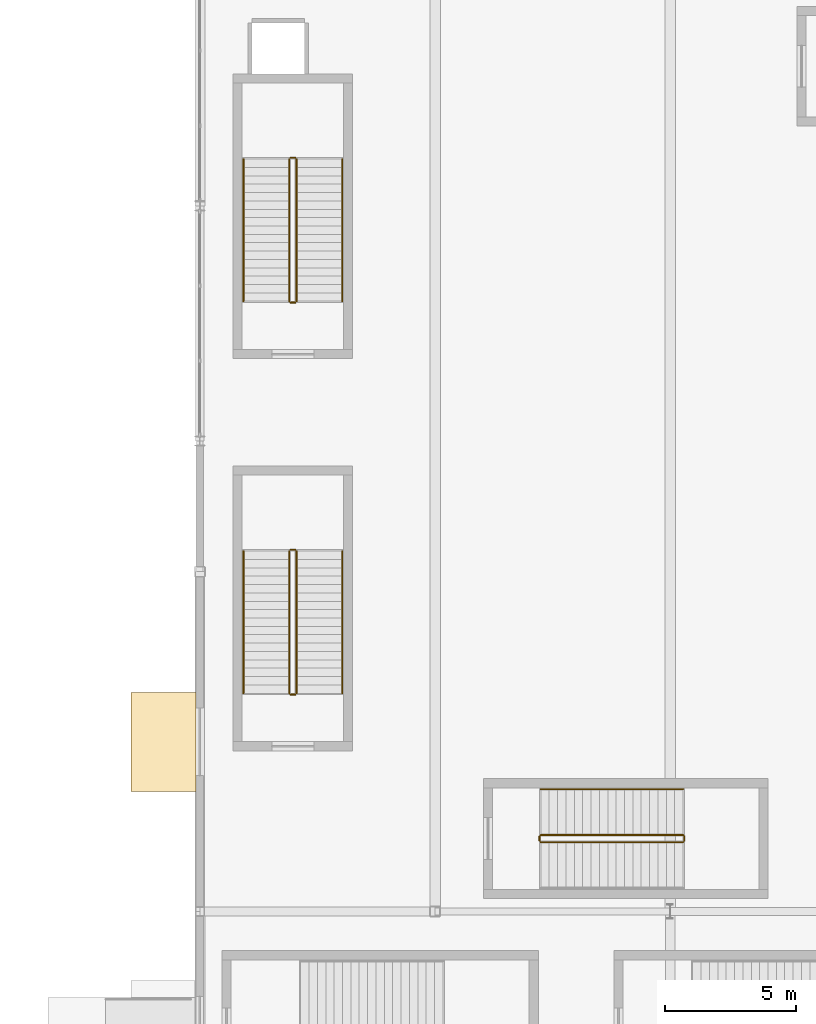
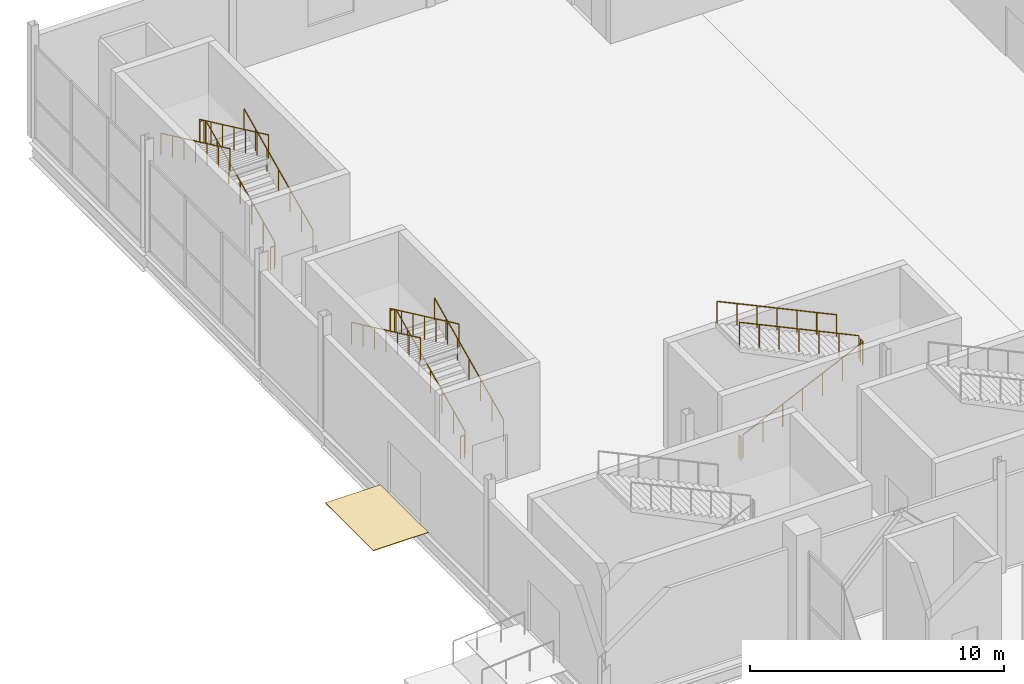
# One storey, part 92 of 94: 17 railings, 1 covering.
"""IFC4 building model written with IfcOpenShell, lengths in metres."""

from ifc_helpers import new_model, si_unit, direction, frame, origin, origin_2d, place, context, subcontext, project, spatial, rectangle, circle, extrude, material, layer, layer_set, type_object, element, save


model = new_model("IFC4")

# Units and contexts
model_context = context("Model", 3, precision=1e-05, world=origin(), true_north=direction((0.0, 1.0)))
body_context = subcontext(model_context, "Body", "Model", "MODEL_VIEW")
ifc_project = project(units=[si_unit("LENGTHUNIT", "METRE"), si_unit("AREAUNIT", "SQUARE_METRE"), si_unit("VOLUMEUNIT", "CUBIC_METRE"), si_unit("PLANEANGLEUNIT", "RADIAN"), si_unit("MASSUNIT", "GRAM", prefix="KILO")], contexts=[model_context])

# Site, building, storey
site_placement = place(None, origin())
site = spatial("IfcSite", under=ifc_project, at=site_placement, CompositionType="ELEMENT")
building_placement = place(site_placement, origin())
building = spatial("IfcBuilding", under=site, at=building_placement, Name="Qamarlyn Nura Convention Centre", CompositionType="ELEMENT")
storey_placement = place(building_placement, origin())
storey = spatial("IfcBuildingStorey", under=building, at=storey_placement, Name="L00", CompositionType="ELEMENT", Elevation=0.0)

# Covering
ifc_material_1 = material(Name="Polished coastal aggregate terrazzo")
ifc_layer = layer(ifc_material_1, 0.030029296875, Name="COV-FLOOR-TERR")
ifc_layer_set = layer_set([ifc_layer], Name="Polished coastal aggregate terrazzo")
covering_type = type_object("IfcCoveringType", Name="COV-FLOOR-TERR", PredefinedType="FLOORING", material=ifc_layer_set)
covering_placement = place(storey_placement, frame((142.610107421875, 96.487548828125, -0.02978515625), z_axis=(0.0, 0.0, 1.0), x_axis=(0.0, 1.0, 0.0)))
element("IfcCovering", 1, at=covering_placement, inside=storey, type_object=covering_type, Name="Exterior exit threshold apron E-52", PredefinedType="FLOORING", context=body_context, shape_type="SweptSolid", body=[
    extrude(rectangle(XDim=3.780029296875, YDim=2.5, at=origin_2d()), origin(), (0.0, 0.0, 1.0), 0.030029296875),
])

# Railings
ifc_material_2 = material(Name="Marine Grade 316 stainless steel", Category="steel")
railing_type_1 = type_object("IfcRailingType", Name="GRD-STAIR-112", PredefinedType="BALUSTRADE", material=ifc_material_2)
railing_1_placement = place(storey_placement, frame((147.699951171875, 98.35009765625, 0.14990234375)))
element("IfcRailing", 2, at=railing_1_placement, inside=storey, type_object=railing_type_1, Name="L00 ST-VOM1 stair guard 1", PredefinedType="BALUSTRADE", context=body_context, shape_type="SweptSolid", body=[
    extrude(circle(Radius=0.02392578125, at=origin_2d()), frame((0.0, 0.0, 1.09619140625), z_axis=(0.0, 0.90545405566, 0.424444287379), x_axis=(-1.0, 0.0, 0.0)), (0.0, 0.0, 1.0), 6.008056640625),
    extrude(circle(Radius=0.02099609375, at=origin_2d()), origin(), (0.0, 0.0, 1.0), 1.070068359375),
    extrude(circle(Radius=0.02099609375, at=origin_2d()), frame((0.0, 0.90673828125, 0.425048828125)), (0.0, 0.0, 1.0), 1.070068359375),
    extrude(circle(Radius=0.02099609375, at=origin_2d()), frame((0.0, 1.813232421875, 0.85009765625)), (0.0, 0.0, 1.0), 1.070068359375),
    extrude(circle(Radius=0.02099609375, at=origin_2d()), frame((0.0, 2.719970703125, 1.27490234375)), (0.0, 0.0, 1.0), 1.070068359375),
    extrude(circle(Radius=0.02099609375, at=origin_2d()), frame((0.0, 3.626708984375, 1.699951171875)), (0.0, 0.0, 1.0), 1.070068359375),
    extrude(circle(Radius=0.02099609375, at=origin_2d()), frame((0.0, 4.533203125, 2.125)), (0.0, 0.0, 1.0), 1.070068359375),
    extrude(circle(Radius=0.02099609375, at=origin_2d()), frame((0.0, 5.43994140625, 2.550048828125)), (0.0, 0.0, 1.0), 1.070068359375),
])
railing_2_placement = place(storey_placement, frame((147.64990234375, 103.840087890625, 2.699951171875)))
element("IfcRailing", 3, at=railing_2_placement, inside=storey, type_object=railing_type_1, Name="L00 ST-VOM1 stair guard 2", PredefinedType="BALUSTRADE", context=body_context, shape_type="SweptSolid", body=[
    extrude(circle(Radius=0.02392578125, at=origin_2d()), frame((0.0, 0.0, 1.09619140625), z_axis=(-1.0, 0.0, 0.0), x_axis=(0.0, -1.0, 0.0)), (0.0, 0.0, 1.0), 0.179931640625),
    extrude(circle(Radius=0.02099609375, at=origin_2d()), origin(), (0.0, 0.0, 1.0), 1.070068359375),
    extrude(circle(Radius=0.02099609375, at=origin_2d()), frame((-0.179931640625, 0.0, 0.0)), (0.0, 0.0, 1.0), 1.070068359375),
])
railing_3_placement = place(storey_placement, frame((147.419921875, 103.7900390625, 2.85009765625)))
element("IfcRailing", 4, at=railing_3_placement, inside=storey, type_object=railing_type_1, Name="L00 ST-VOM1 stair guard 3", PredefinedType="BALUSTRADE", context=body_context, shape_type="SweptSolid", body=[
    extrude(circle(Radius=0.02392578125, at=origin_2d()), frame((0.0, 0.0, 1.09619140625), z_axis=(0.0, -0.90546967238, 0.424410971113), x_axis=(1.0, 0.0, 0.0)), (0.0, 0.0, 1.0), 6.0078125),
    extrude(circle(Radius=0.02099609375, at=origin_2d()), origin(), (0.0, 0.0, 1.0), 1.070068359375),
    extrude(circle(Radius=0.02099609375, at=origin_2d()), frame((0.0, -0.90673828125, 0.425048828125)), (0.0, 0.0, 1.0), 1.070068359375),
    extrude(circle(Radius=0.02099609375, at=origin_2d()), frame((0.0, -1.813232421875, 0.849853515625)), (0.0, 0.0, 1.0), 1.070068359375),
    extrude(circle(Radius=0.02099609375, at=origin_2d()), frame((0.0, -2.719970703125, 1.27490234375)), (0.0, 0.0, 1.0), 1.070068359375),
    extrude(circle(Radius=0.02099609375, at=origin_2d()), frame((0.0, -3.626708984375, 1.699951171875)), (0.0, 0.0, 1.0), 1.070068359375),
    extrude(circle(Radius=0.02099609375, at=origin_2d()), frame((0.0, -4.533203125, 2.124755859375)), (0.0, 0.0, 1.0), 1.070068359375),
    extrude(circle(Radius=0.02099609375, at=origin_2d()), frame((0.0, -5.43994140625, 2.5498046875)), (0.0, 0.0, 1.0), 1.070068359375),
])
railing_4_placement = place(storey_placement, frame((147.64990234375, 98.300048828125, 0.0)))
element("IfcRailing", 5, at=railing_4_placement, inside=storey, type_object=railing_type_1, Name="L00 ST-VOM1 stair guard 4", PredefinedType="BALUSTRADE", context=body_context, shape_type="SweptSolid", body=[
    extrude(circle(Radius=0.02392578125, at=origin_2d()), frame((0.0, 0.0, 1.09619140625), z_axis=(-1.0, 0.0, 0.0), x_axis=(0.0, -1.0, 0.0)), (0.0, 0.0, 1.0), 0.179931640625),
    extrude(circle(Radius=0.02099609375, at=origin_2d()), origin(), (0.0, 0.0, 1.0), 1.070068359375),
    extrude(circle(Radius=0.02099609375, at=origin_2d()), frame((-0.179931640625, 0.0, 0.0)), (0.0, 0.0, 1.0), 1.070068359375),
])
railing_5_placement = place(storey_placement, frame((147.699951171875, 113.35009765625, 0.14990234375)))
element("IfcRailing", 6, at=railing_5_placement, inside=storey, type_object=railing_type_1, Name="L00 ST-VOM2 stair guard 1", PredefinedType="BALUSTRADE", context=body_context, shape_type="SweptSolid", body=[
    extrude(circle(Radius=0.02392578125, at=origin_2d()), frame((0.0, 0.0, 1.09619140625), z_axis=(0.0, 0.90545405566, 0.424444287379), x_axis=(-1.0, 0.0, 0.0)), (0.0, 0.0, 1.0), 6.008056640625),
    extrude(circle(Radius=0.02099609375, at=origin_2d()), origin(), (0.0, 0.0, 1.0), 1.070068359375),
    extrude(circle(Radius=0.02099609375, at=origin_2d()), frame((0.0, 0.90673828125, 0.425048828125)), (0.0, 0.0, 1.0), 1.070068359375),
    extrude(circle(Radius=0.02099609375, at=origin_2d()), frame((0.0, 1.813232421875, 0.85009765625)), (0.0, 0.0, 1.0), 1.070068359375),
    extrude(circle(Radius=0.02099609375, at=origin_2d()), frame((0.0, 2.719970703125, 1.27490234375)), (0.0, 0.0, 1.0), 1.070068359375),
    extrude(circle(Radius=0.02099609375, at=origin_2d()), frame((0.0, 3.626708984375, 1.699951171875)), (0.0, 0.0, 1.0), 1.070068359375),
    extrude(circle(Radius=0.02099609375, at=origin_2d()), frame((0.0, 4.533203125, 2.125)), (0.0, 0.0, 1.0), 1.070068359375),
    extrude(circle(Radius=0.02099609375, at=origin_2d()), frame((0.0, 5.43994140625, 2.550048828125)), (0.0, 0.0, 1.0), 1.070068359375),
])
railing_6_placement = place(storey_placement, frame((147.64990234375, 118.840087890625, 2.699951171875)))
element("IfcRailing", 7, at=railing_6_placement, inside=storey, type_object=railing_type_1, Name="L00 ST-VOM2 stair guard 2", PredefinedType="BALUSTRADE", context=body_context, shape_type="SweptSolid", body=[
    extrude(circle(Radius=0.02392578125, at=origin_2d()), frame((0.0, 0.0, 1.09619140625), z_axis=(-1.0, 0.0, 0.0), x_axis=(0.0, -1.0, 0.0)), (0.0, 0.0, 1.0), 0.179931640625),
    extrude(circle(Radius=0.02099609375, at=origin_2d()), origin(), (0.0, 0.0, 1.0), 1.070068359375),
    extrude(circle(Radius=0.02099609375, at=origin_2d()), frame((-0.179931640625, 0.0, 0.0)), (0.0, 0.0, 1.0), 1.070068359375),
])
railing_7_placement = place(storey_placement, frame((147.419921875, 118.7900390625, 2.85009765625)))
element("IfcRailing", 8, at=railing_7_placement, inside=storey, type_object=railing_type_1, Name="L00 ST-VOM2 stair guard 3", PredefinedType="BALUSTRADE", context=body_context, shape_type="SweptSolid", body=[
    extrude(circle(Radius=0.02392578125, at=origin_2d()), frame((0.0, 0.0, 1.09619140625), z_axis=(0.0, -0.90546967238, 0.424410971113), x_axis=(1.0, 0.0, 0.0)), (0.0, 0.0, 1.0), 6.0078125),
    extrude(circle(Radius=0.02099609375, at=origin_2d()), origin(), (0.0, 0.0, 1.0), 1.070068359375),
    extrude(circle(Radius=0.02099609375, at=origin_2d()), frame((0.0, -0.90673828125, 0.425048828125)), (0.0, 0.0, 1.0), 1.070068359375),
    extrude(circle(Radius=0.02099609375, at=origin_2d()), frame((0.0, -1.813232421875, 0.849853515625)), (0.0, 0.0, 1.0), 1.070068359375),
    extrude(circle(Radius=0.02099609375, at=origin_2d()), frame((0.0, -2.719970703125, 1.27490234375)), (0.0, 0.0, 1.0), 1.070068359375),
    extrude(circle(Radius=0.02099609375, at=origin_2d()), frame((0.0, -3.626708984375, 1.699951171875)), (0.0, 0.0, 1.0), 1.070068359375),
    extrude(circle(Radius=0.02099609375, at=origin_2d()), frame((0.0, -4.533203125, 2.124755859375)), (0.0, 0.0, 1.0), 1.070068359375),
    extrude(circle(Radius=0.02099609375, at=origin_2d()), frame((0.0, -5.43994140625, 2.5498046875)), (0.0, 0.0, 1.0), 1.070068359375),
])
railing_8_placement = place(storey_placement, frame((147.64990234375, 113.300048828125, 0.0)))
element("IfcRailing", 9, at=railing_8_placement, inside=storey, type_object=railing_type_1, Name="L00 ST-VOM2 stair guard 4", PredefinedType="BALUSTRADE", context=body_context, shape_type="SweptSolid", body=[
    extrude(circle(Radius=0.02392578125, at=origin_2d()), frame((0.0, 0.0, 1.09619140625), z_axis=(-1.0, 0.0, 0.0), x_axis=(0.0, -1.0, 0.0)), (0.0, 0.0, 1.0), 0.179931640625),
    extrude(circle(Radius=0.02099609375, at=origin_2d()), origin(), (0.0, 0.0, 1.0), 1.070068359375),
    extrude(circle(Radius=0.02099609375, at=origin_2d()), frame((-0.179931640625, 0.0, 0.0)), (0.0, 0.0, 1.0), 1.070068359375),
])
railing_9_placement = place(storey_placement, frame((157.050048828125, 92.64990234375, 0.14990234375)))
element("IfcRailing", 10, at=railing_9_placement, inside=storey, type_object=railing_type_1, Name="L00 ST-VOM3 stair guard 1", PredefinedType="BALUSTRADE", context=body_context, shape_type="SweptSolid", body=[
    extrude(circle(Radius=0.02392578125, at=origin_2d()), frame((0.0, 0.0, 1.09619140625), z_axis=(0.90545405566, 0.0, 0.424444287379), x_axis=(0.0, 1.0, 0.0)), (0.0, 0.0, 1.0), 6.008056640625),
    extrude(circle(Radius=0.02099609375, at=origin_2d()), origin(), (0.0, 0.0, 1.0), 1.070068359375),
    extrude(circle(Radius=0.02099609375, at=origin_2d()), frame((0.90673828125, 0.0, 0.425048828125)), (0.0, 0.0, 1.0), 1.070068359375),
    extrude(circle(Radius=0.02099609375, at=origin_2d()), frame((1.813232421875, 0.0, 0.85009765625)), (0.0, 0.0, 1.0), 1.070068359375),
    extrude(circle(Radius=0.02099609375, at=origin_2d()), frame((2.719970703125, 0.0, 1.27490234375)), (0.0, 0.0, 1.0), 1.070068359375),
    extrude(circle(Radius=0.02099609375, at=origin_2d()), frame((3.626708984375, 0.0, 1.699951171875)), (0.0, 0.0, 1.0), 1.070068359375),
    extrude(circle(Radius=0.02099609375, at=origin_2d()), frame((4.533203125, 0.0, 2.125)), (0.0, 0.0, 1.0), 1.070068359375),
    extrude(circle(Radius=0.02099609375, at=origin_2d()), frame((5.43994140625, 0.0, 2.550048828125)), (0.0, 0.0, 1.0), 1.070068359375),
])
railing_10_placement = place(storey_placement, frame((162.5400390625, 92.699951171875, 2.699951171875)))
element("IfcRailing", 11, at=railing_10_placement, inside=storey, type_object=railing_type_1, Name="L00 ST-VOM3 stair guard 2", PredefinedType="BALUSTRADE", context=body_context, shape_type="SweptSolid", body=[
    extrude(circle(Radius=0.02392578125, at=origin_2d()), frame((0.0, 0.0, 1.09619140625), z_axis=(0.0, 1.0, 0.0), x_axis=(-1.0, 0.0, 0.0)), (0.0, 0.0, 1.0), 0.179931640625),
    extrude(circle(Radius=0.02099609375, at=origin_2d()), origin(), (0.0, 0.0, 1.0), 1.070068359375),
    extrude(circle(Radius=0.02099609375, at=origin_2d()), frame((0.0, 0.179931640625, 0.0)), (0.0, 0.0, 1.0), 1.070068359375),
])
railing_11_placement = place(storey_placement, frame((162.489990234375, 92.929931640625, 2.85009765625)))
element("IfcRailing", 12, at=railing_11_placement, inside=storey, type_object=railing_type_1, Name="L00 ST-VOM3 stair guard 3", PredefinedType="BALUSTRADE", context=body_context, shape_type="SweptSolid", body=[
    extrude(circle(Radius=0.02392578125, at=origin_2d()), frame((0.0, 0.0, 1.09619140625), z_axis=(-0.90546967238, 0.0, 0.424410971113), x_axis=(0.0, -1.0, 0.0)), (0.0, 0.0, 1.0), 6.0078125),
    extrude(circle(Radius=0.02099609375, at=origin_2d()), origin(), (0.0, 0.0, 1.0), 1.070068359375),
    extrude(circle(Radius=0.02099609375, at=origin_2d()), frame((-0.90673828125, 0.0, 0.425048828125)), (0.0, 0.0, 1.0), 1.070068359375),
    extrude(circle(Radius=0.02099609375, at=origin_2d()), frame((-1.813232421875, 0.0, 0.849853515625)), (0.0, 0.0, 1.0), 1.070068359375),
    extrude(circle(Radius=0.02099609375, at=origin_2d()), frame((-2.719970703125, 0.0, 1.27490234375)), (0.0, 0.0, 1.0), 1.070068359375),
    extrude(circle(Radius=0.02099609375, at=origin_2d()), frame((-3.626708984375, 0.0, 1.699951171875)), (0.0, 0.0, 1.0), 1.070068359375),
    extrude(circle(Radius=0.02099609375, at=origin_2d()), frame((-4.533203125, 0.0, 2.124755859375)), (0.0, 0.0, 1.0), 1.070068359375),
    extrude(circle(Radius=0.02099609375, at=origin_2d()), frame((-5.43994140625, 0.0, 2.5498046875)), (0.0, 0.0, 1.0), 1.070068359375),
])
railing_12_placement = place(storey_placement, frame((157.0, 92.699951171875, 0.0)))
element("IfcRailing", 13, at=railing_12_placement, inside=storey, type_object=railing_type_1, Name="L00 ST-VOM3 stair guard 4", PredefinedType="BALUSTRADE", context=body_context, shape_type="SweptSolid", body=[
    extrude(circle(Radius=0.02392578125, at=origin_2d()), frame((0.0, 0.0, 1.09619140625), z_axis=(0.0, 1.0, 0.0), x_axis=(-1.0, 0.0, 0.0)), (0.0, 0.0, 1.0), 0.179931640625),
    extrude(circle(Radius=0.02099609375, at=origin_2d()), origin(), (0.0, 0.0, 1.0), 1.070068359375),
    extrude(circle(Radius=0.02099609375, at=origin_2d()), frame((0.0, 0.179931640625, 0.0)), (0.0, 0.0, 1.0), 1.070068359375),
])
railing_type_2 = type_object("IfcRailingType", Name="HRL-STAIR-090", PredefinedType="HANDRAIL", material=ifc_material_2)
railing_13_placement = place(storey_placement, frame((149.449951171875, 98.35009765625, 0.30224609375)))
element("IfcRailing", 14, at=railing_13_placement, inside=storey, type_object=railing_type_2, Name="L00 ST-VOM1 stair handrail 1", PredefinedType="HANDRAIL", context=body_context, shape_type="SweptSolid", body=[
    extrude(circle(Radius=0.02392578125, at=origin_2d()), frame((0.0, 0.0, 0.88818359375), z_axis=(0.0, 0.90545405566, 0.424444287379), x_axis=(-1.0, 0.0, 0.0)), (0.0, 0.0, 1.0), 6.008056640625),
    extrude(circle(Radius=0.02099609375, at=origin_2d()), frame((0.0, 0.0, -0.155029296875)), (0.0, 0.0, 1.0), 1.01708984375),
    extrude(circle(Radius=0.02099609375, at=origin_2d()), frame((0.0, 0.90673828125, 0.27001953125)), (0.0, 0.0, 1.0), 1.01708984375),
    extrude(circle(Radius=0.02099609375, at=origin_2d()), frame((0.0, 1.813232421875, 0.695068359375)), (0.0, 0.0, 1.0), 1.01708984375),
    extrude(circle(Radius=0.02099609375, at=origin_2d()), frame((0.0, 2.719970703125, 1.1201171875)), (0.0, 0.0, 1.0), 1.01708984375),
    extrude(circle(Radius=0.02099609375, at=origin_2d()), frame((0.0, 3.626708984375, 1.544921875)), (0.0, 0.0, 1.0), 1.01708984375),
    extrude(circle(Radius=0.02099609375, at=origin_2d()), frame((0.0, 4.533203125, 1.969970703125)), (0.0, 0.0, 1.0), 1.01708984375),
    extrude(circle(Radius=0.02099609375, at=origin_2d()), frame((0.0, 5.43994140625, 2.39501953125)), (0.0, 0.0, 1.0), 1.01708984375),
])
railing_14_placement = place(storey_placement, frame((145.669921875, 103.7900390625, 3.002197265625)))
element("IfcRailing", 15, at=railing_14_placement, inside=storey, type_object=railing_type_2, Name="L00 ST-VOM1 stair handrail 2", PredefinedType="HANDRAIL", context=body_context, shape_type="SweptSolid", body=[
    extrude(circle(Radius=0.02392578125, at=origin_2d()), frame((0.0, 0.0, 0.88818359375), z_axis=(0.0, -0.90545405566, 0.424444287379), x_axis=(1.0, 0.0, 0.0)), (0.0, 0.0, 1.0), 6.008056640625),
    extrude(circle(Radius=0.02099609375, at=origin_2d()), frame((0.0, 0.0, -0.155029296875)), (0.0, 0.0, 1.0), 1.01708984375),
    extrude(circle(Radius=0.02099609375, at=origin_2d()), frame((0.0, -0.90673828125, 0.27001953125)), (0.0, 0.0, 1.0), 1.01708984375),
    extrude(circle(Radius=0.02099609375, at=origin_2d()), frame((0.0, -1.813232421875, 0.695068359375)), (0.0, 0.0, 1.0), 1.01708984375),
    extrude(circle(Radius=0.02099609375, at=origin_2d()), frame((0.0, -2.719970703125, 1.1201171875)), (0.0, 0.0, 1.0), 1.01708984375),
    extrude(circle(Radius=0.02099609375, at=origin_2d()), frame((0.0, -3.626708984375, 1.544921875)), (0.0, 0.0, 1.0), 1.01708984375),
    extrude(circle(Radius=0.02099609375, at=origin_2d()), frame((0.0, -4.533203125, 1.969970703125)), (0.0, 0.0, 1.0), 1.01708984375),
    extrude(circle(Radius=0.02099609375, at=origin_2d()), frame((0.0, -5.43994140625, 2.39501953125)), (0.0, 0.0, 1.0), 1.01708984375),
])
railing_15_placement = place(storey_placement, frame((149.449951171875, 113.35009765625, 0.30224609375)))
element("IfcRailing", 16, at=railing_15_placement, inside=storey, type_object=railing_type_2, Name="L00 ST-VOM2 stair handrail 1", PredefinedType="HANDRAIL", context=body_context, shape_type="SweptSolid", body=[
    extrude(circle(Radius=0.02392578125, at=origin_2d()), frame((0.0, 0.0, 0.88818359375), z_axis=(0.0, 0.90545405566, 0.424444287379), x_axis=(-1.0, 0.0, 0.0)), (0.0, 0.0, 1.0), 6.008056640625),
    extrude(circle(Radius=0.02099609375, at=origin_2d()), frame((0.0, 0.0, -0.155029296875)), (0.0, 0.0, 1.0), 1.01708984375),
    extrude(circle(Radius=0.02099609375, at=origin_2d()), frame((0.0, 0.90673828125, 0.27001953125)), (0.0, 0.0, 1.0), 1.01708984375),
    extrude(circle(Radius=0.02099609375, at=origin_2d()), frame((0.0, 1.813232421875, 0.695068359375)), (0.0, 0.0, 1.0), 1.01708984375),
    extrude(circle(Radius=0.02099609375, at=origin_2d()), frame((0.0, 2.719970703125, 1.1201171875)), (0.0, 0.0, 1.0), 1.01708984375),
    extrude(circle(Radius=0.02099609375, at=origin_2d()), frame((0.0, 3.626708984375, 1.544921875)), (0.0, 0.0, 1.0), 1.01708984375),
    extrude(circle(Radius=0.02099609375, at=origin_2d()), frame((0.0, 4.533203125, 1.969970703125)), (0.0, 0.0, 1.0), 1.01708984375),
    extrude(circle(Radius=0.02099609375, at=origin_2d()), frame((0.0, 5.43994140625, 2.39501953125)), (0.0, 0.0, 1.0), 1.01708984375),
])
railing_16_placement = place(storey_placement, frame((145.669921875, 118.7900390625, 3.002197265625)))
element("IfcRailing", 17, at=railing_16_placement, inside=storey, type_object=railing_type_2, Name="L00 ST-VOM2 stair handrail 2", PredefinedType="HANDRAIL", context=body_context, shape_type="SweptSolid", body=[
    extrude(circle(Radius=0.02392578125, at=origin_2d()), frame((0.0, 0.0, 0.88818359375), z_axis=(0.0, -0.90545405566, 0.424444287379), x_axis=(1.0, 0.0, 0.0)), (0.0, 0.0, 1.0), 6.008056640625),
    extrude(circle(Radius=0.02099609375, at=origin_2d()), frame((0.0, 0.0, -0.155029296875)), (0.0, 0.0, 1.0), 1.01708984375),
    extrude(circle(Radius=0.02099609375, at=origin_2d()), frame((0.0, -0.90673828125, 0.27001953125)), (0.0, 0.0, 1.0), 1.01708984375),
    extrude(circle(Radius=0.02099609375, at=origin_2d()), frame((0.0, -1.813232421875, 0.695068359375)), (0.0, 0.0, 1.0), 1.01708984375),
    extrude(circle(Radius=0.02099609375, at=origin_2d()), frame((0.0, -2.719970703125, 1.1201171875)), (0.0, 0.0, 1.0), 1.01708984375),
    extrude(circle(Radius=0.02099609375, at=origin_2d()), frame((0.0, -3.626708984375, 1.544921875)), (0.0, 0.0, 1.0), 1.01708984375),
    extrude(circle(Radius=0.02099609375, at=origin_2d()), frame((0.0, -4.533203125, 1.969970703125)), (0.0, 0.0, 1.0), 1.01708984375),
    extrude(circle(Radius=0.02099609375, at=origin_2d()), frame((0.0, -5.43994140625, 2.39501953125)), (0.0, 0.0, 1.0), 1.01708984375),
])
railing_17_placement = place(storey_placement, frame((162.489990234375, 94.679931640625, 3.002197265625)))
element("IfcRailing", 18, at=railing_17_placement, inside=storey, type_object=railing_type_2, Name="L00 ST-VOM3 stair handrail 2", PredefinedType="HANDRAIL", context=body_context, shape_type="SweptSolid", body=[
    extrude(circle(Radius=0.02392578125, at=origin_2d()), frame((0.0, 0.0, 0.88818359375), z_axis=(-0.90545405566, 0.0, 0.424444287379), x_axis=(0.0, -1.0, 0.0)), (0.0, 0.0, 1.0), 6.008056640625),
    extrude(circle(Radius=0.02099609375, at=origin_2d()), frame((0.0, 0.0, -0.155029296875)), (0.0, 0.0, 1.0), 1.01708984375),
    extrude(circle(Radius=0.02099609375, at=origin_2d()), frame((-0.90673828125, 0.0, 0.27001953125)), (0.0, 0.0, 1.0), 1.01708984375),
    extrude(circle(Radius=0.02099609375, at=origin_2d()), frame((-1.813232421875, 0.0, 0.695068359375)), (0.0, 0.0, 1.0), 1.01708984375),
    extrude(circle(Radius=0.02099609375, at=origin_2d()), frame((-2.719970703125, 0.0, 1.1201171875)), (0.0, 0.0, 1.0), 1.01708984375),
    extrude(circle(Radius=0.02099609375, at=origin_2d()), frame((-3.626708984375, 0.0, 1.544921875)), (0.0, 0.0, 1.0), 1.01708984375),
    extrude(circle(Radius=0.02099609375, at=origin_2d()), frame((-4.533203125, 0.0, 1.969970703125)), (0.0, 0.0, 1.0), 1.01708984375),
    extrude(circle(Radius=0.02099609375, at=origin_2d()), frame((-5.43994140625, 0.0, 2.39501953125)), (0.0, 0.0, 1.0), 1.01708984375),
])

save(model, "model.ifc")
